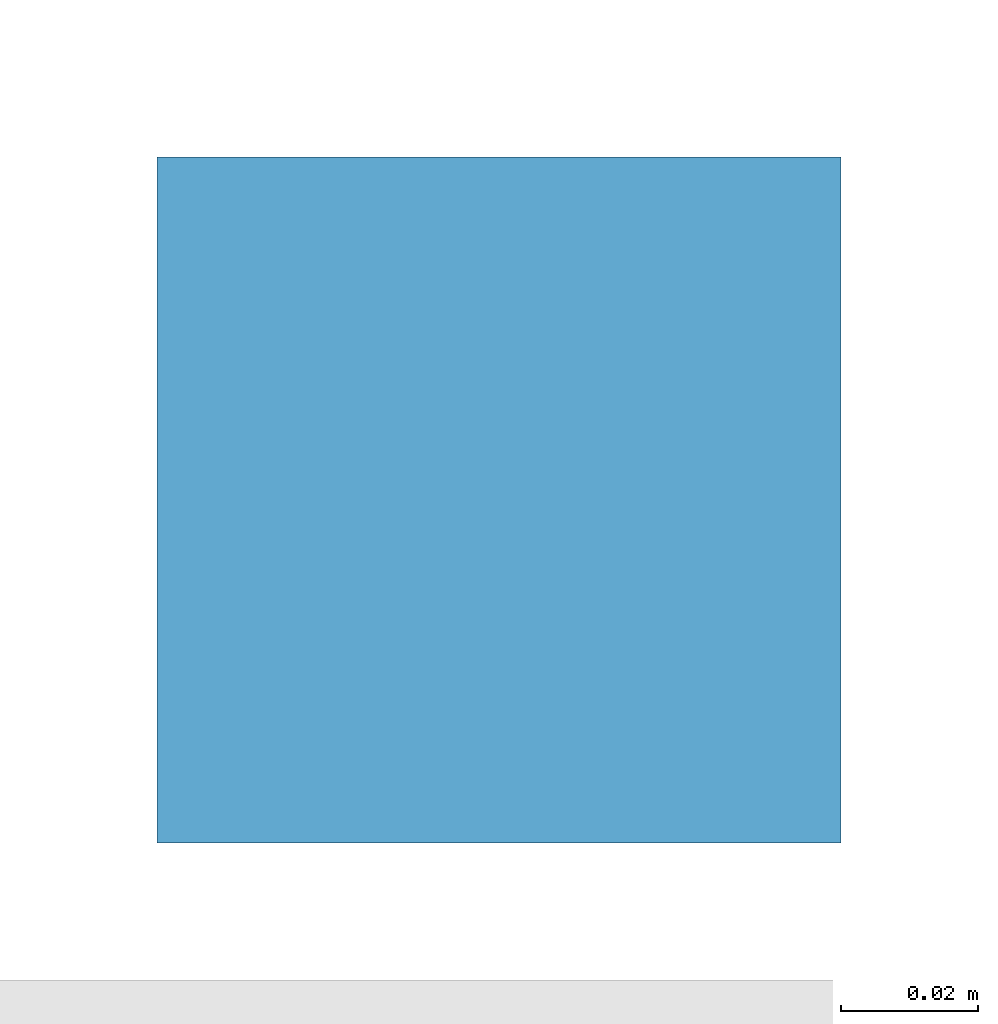
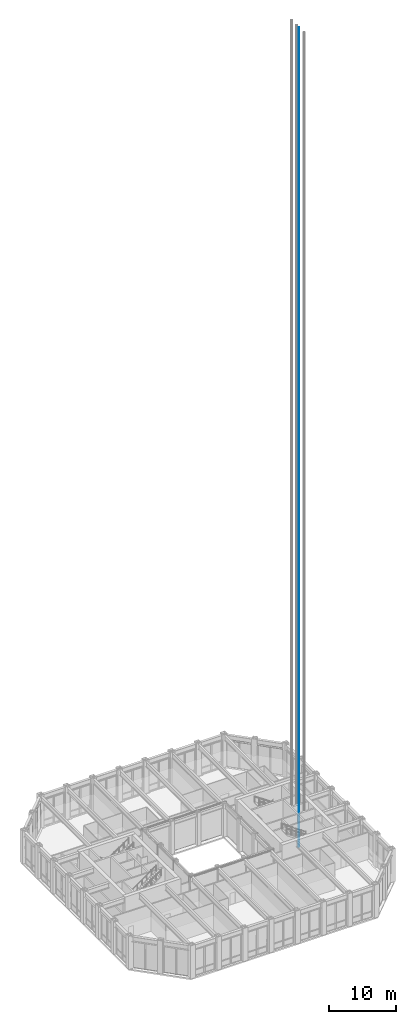
# One storey, part 17 of 22: 1 discrete accessory.
"""IFC4 building model written with IfcOpenShell, lengths in metres."""

from ifc_helpers import new_model, si_unit, direction, frame, origin, place, context, subcontext, project, spatial, polyline, outline, extrude, element, save


model = new_model("IFC4")

# Units and contexts
model_context = context("Model", 3, precision=1e-05, world=origin(), true_north=direction((0.0, 1.0)))
body_context = subcontext(model_context, "Body", "Model", "MODEL_VIEW")
ifc_project = project(units=[si_unit("LENGTHUNIT", "METRE"), si_unit("AREAUNIT", "SQUARE_METRE"), si_unit("VOLUMEUNIT", "CUBIC_METRE"), si_unit("PLANEANGLEUNIT", "RADIAN"), si_unit("MASSUNIT", "GRAM", prefix="KILO")], contexts=[model_context])

# Site, building, storey
site_placement = place(None, origin())
site = spatial("IfcSite", under=ifc_project, at=site_placement, CompositionType="ELEMENT")
building_placement = place(site_placement, origin())
building = spatial("IfcBuilding", under=site, at=building_placement, Name="Msasa Ring Tower", CompositionType="ELEMENT")
storey_placement = place(building_placement, frame((0.0, 0.0, 112.39990234375)))
storey = spatial("IfcBuildingStorey", under=building, at=storey_placement, Name="L29", CompositionType="ELEMENT", Elevation=112.39990234375)

# Discrete accessory
discrete_accessory_placement = place(storey_placement, frame((0.0, 0.0, -1.5)))
element("IfcDiscreteAccessory", 1, at=discrete_accessory_placement, inside=storey, Name="Lift guide rail 2 PL-H1", ObjectType="LIFT GUIDE RAIL", PredefinedType="USERDEFINED", context=body_context, shape_type="SweptSolid", body=[
    extrude(outline(polyline([(15.97509765625, 0.594970703125), (16.074951171875, 0.594970703125), (16.074951171875, 0.695068359375), (15.97509765625, 0.695068359375), (15.97509765625, 0.594970703125)])), origin(), (0.0, 0.0, 1.0), 148.60009765625),
])

save(model, "model.ifc")
